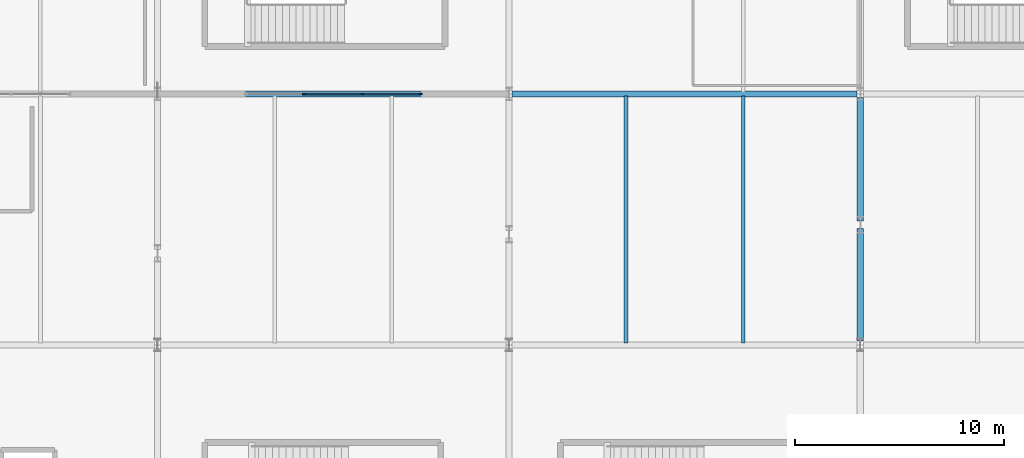
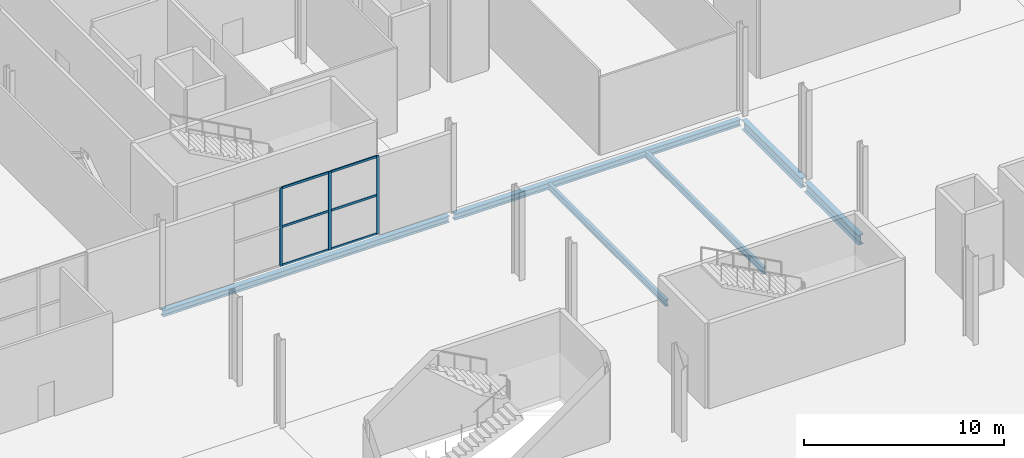
# One storey, part 32 of 87: 9 members, 6 beams, 1 element without a shape of its own.
"""IFC4 building model written with IfcOpenShell, lengths in metres."""

from ifc_helpers import new_model, si_unit, direction, frame, origin, origin_2d, place, context, subcontext, project, spatial, rectangle, i_section, extrude, material, material_profile, profile_set, type_object, element, aggregate, save


model = new_model("IFC4")

# Units and contexts
model_context = context("Model", 3, precision=1e-05, world=origin(), true_north=direction((0.0, 1.0)))
body_context = subcontext(model_context, "Body", "Model", "MODEL_VIEW")
ifc_project = project(units=[si_unit("LENGTHUNIT", "METRE"), si_unit("AREAUNIT", "SQUARE_METRE"), si_unit("VOLUMEUNIT", "CUBIC_METRE"), si_unit("PLANEANGLEUNIT", "RADIAN"), si_unit("MASSUNIT", "GRAM", prefix="KILO")], contexts=[model_context])

# Site, building, storey
site_placement = place(None, origin())
site = spatial("IfcSite", under=ifc_project, at=site_placement, CompositionType="ELEMENT")
building_placement = place(site_placement, origin())
building = spatial("IfcBuilding", under=site, at=building_placement, Name="Kimbaza Rail Terminus", CompositionType="ELEMENT")
storey_placement = place(building_placement, origin())
storey = spatial("IfcBuildingStorey", under=building, at=storey_placement, Name="L00", CompositionType="ELEMENT", Elevation=0.0)

# Curtain wall, members
ifc_material_1 = material(Name="Anodised aluminium framing and solar low-E glazing", Category="aluminium")
curtain_wall_type = type_object("IfcCurtainWallType", Name="ARC-CW-OP1", PredefinedType="USERDEFINED", material=ifc_material_1)
curtain_wall_placement = place(storey_placement, origin())
curtain_wall = element("IfcCurtainWall", 1, at=curtain_wall_placement, inside=storey, type_object=curtain_wall_type, Name="Operations South Curtain Wall L00 Bay 2", ObjectType="UNITISED CURTAIN WALL", PredefinedType="USERDEFINED")
ifc_material_2 = material(Name="Anodised architectural aluminium", Category="aluminium")
ifc_material_profile_1 = material_profile(ifc_material_2, rectangle(XDim=0.06201171875, YDim=0.1650390625, at=origin_2d()), Name="MULLION 62x165")
ifc_profile_set_1 = profile_set([ifc_material_profile_1], Name="Anodised architectural aluminium")
member_type_1 = type_object("IfcMemberType", Name="ARC-CWM-05", PredefinedType="MULLION", material=ifc_profile_set_1)
member_1_placement = place(storey_placement, frame((79.0, 103.0, 0.0), z_axis=(0.0, 0.0, 1.0), x_axis=(0.0, 1.0, 0.0)))
member_1 = element("IfcMember", 2, at=member_1_placement, type_object=member_type_1, Name="CW-05 mullion 2", PredefinedType="MULLION", context=body_context, shape_type="SweptSolid", body=[
    extrude(rectangle(XDim=0.06201171875, YDim=0.1650390625, at=origin_2d()), origin(), (0.0, 0.0, 1.0), 4.764892578125),
])
member_2_placement = place(storey_placement, frame((81.800048828125, 103.0, 0.0), z_axis=(0.0, 0.0, 1.0), x_axis=(0.0, 1.0, 0.0)))
member_2 = element("IfcMember", 3, at=member_2_placement, type_object=member_type_1, Name="CW-05 mullion 3", PredefinedType="MULLION", context=body_context, shape_type="SweptSolid", body=[
    extrude(rectangle(XDim=0.06201171875, YDim=0.1650390625, at=origin_2d()), origin(), (0.0, 0.0, 1.0), 4.764892578125),
])
member_3_placement = place(storey_placement, frame((84.569091796875, 103.0, 0.0), z_axis=(0.0, 0.0, 1.0), x_axis=(0.0, 1.0, 0.0)))
member_3 = element("IfcMember", 4, at=member_3_placement, type_object=member_type_1, Name="CW-05 mullion 4", PredefinedType="MULLION", context=body_context, shape_type="SweptSolid", body=[
    extrude(rectangle(XDim=0.06201171875, YDim=0.1650390625, at=origin_2d()), origin(), (0.0, 0.0, 1.0), 4.764892578125),
])
ifc_material_3 = material(Name="Anodised architectural aluminium", Category="aluminium")
ifc_material_profile_2 = material_profile(ifc_material_3, rectangle(XDim=0.06201171875, YDim=0.135009765625, at=origin_2d()), Name="TRANSOM 62x135")
ifc_profile_set_2 = profile_set([ifc_material_profile_2], Name="Anodised architectural aluminium")
member_type_2 = type_object("IfcMemberType", Name="ARC-CWT-05", PredefinedType="USERDEFINED", material=ifc_profile_set_2)
member_4_placement = place(storey_placement, frame((79.031005859375, 103.0, 0.031005859375), z_axis=(1.0, 0.0, 0.0), x_axis=(0.0, 1.0, 0.0)))
member_4 = element("IfcMember", 5, at=member_4_placement, type_object=member_type_2, Name="CW-05 transom 2.1", ObjectType="TRANSOM", PredefinedType="USERDEFINED", context=body_context, shape_type="SweptSolid", body=[
    extrude(rectangle(XDim=0.06201171875, YDim=0.135009765625, at=origin_2d()), origin(), (0.0, 0.0, 1.0), 2.738037109375),
])
member_5_placement = place(storey_placement, frame((79.031005859375, 103.0, 2.382568359375), z_axis=(1.0, 0.0, 0.0), x_axis=(0.0, 1.0, 0.0)))
member_5 = element("IfcMember", 6, at=member_5_placement, type_object=member_type_2, Name="CW-05 transom 2.2", ObjectType="TRANSOM", PredefinedType="USERDEFINED", context=body_context, shape_type="SweptSolid", body=[
    extrude(rectangle(XDim=0.06201171875, YDim=0.135009765625, at=origin_2d()), origin(), (0.0, 0.0, 1.0), 2.738037109375),
])
member_6_placement = place(storey_placement, frame((79.031005859375, 103.0, 4.73388671875), z_axis=(1.0, 0.0, 0.0), x_axis=(0.0, 1.0, 0.0)))
member_6 = element("IfcMember", 7, at=member_6_placement, type_object=member_type_2, Name="CW-05 transom 2.3", ObjectType="TRANSOM", PredefinedType="USERDEFINED", context=body_context, shape_type="SweptSolid", body=[
    extrude(rectangle(XDim=0.06201171875, YDim=0.135009765625, at=origin_2d()), origin(), (0.0, 0.0, 1.0), 2.738037109375),
])
member_7_placement = place(storey_placement, frame((81.8310546875, 103.0, 0.031005859375), z_axis=(1.0, 0.0, 0.0), x_axis=(0.0, 1.0, 0.0)))
member_7 = element("IfcMember", 8, at=member_7_placement, type_object=member_type_2, Name="CW-05 transom 3.1", ObjectType="TRANSOM", PredefinedType="USERDEFINED", context=body_context, shape_type="SweptSolid", body=[
    extrude(rectangle(XDim=0.06201171875, YDim=0.135009765625, at=origin_2d()), origin(), (0.0, 0.0, 1.0), 2.70703125),
])
member_8_placement = place(storey_placement, frame((81.8310546875, 103.0, 2.382568359375), z_axis=(1.0, 0.0, 0.0), x_axis=(0.0, 1.0, 0.0)))
member_8 = element("IfcMember", 9, at=member_8_placement, type_object=member_type_2, Name="CW-05 transom 3.2", ObjectType="TRANSOM", PredefinedType="USERDEFINED", context=body_context, shape_type="SweptSolid", body=[
    extrude(rectangle(XDim=0.06201171875, YDim=0.135009765625, at=origin_2d()), origin(), (0.0, 0.0, 1.0), 2.70703125),
])
member_9_placement = place(storey_placement, frame((81.8310546875, 103.0, 4.73388671875), z_axis=(1.0, 0.0, 0.0), x_axis=(0.0, 1.0, 0.0)))
member_9 = element("IfcMember", 10, at=member_9_placement, type_object=member_type_2, Name="CW-05 transom 3.3", ObjectType="TRANSOM", PredefinedType="USERDEFINED", context=body_context, shape_type="SweptSolid", body=[
    extrude(rectangle(XDim=0.06201171875, YDim=0.135009765625, at=origin_2d()), origin(), (0.0, 0.0, 1.0), 2.70703125),
])
aggregate(curtain_wall, [member_1, member_2, member_3, member_4, member_5, member_6, member_7, member_8, member_9])

# Beams
ifc_material_4 = material(Name="Steel S355", Category="steel")
ifc_material_profile_3 = material_profile(ifc_material_4, i_section(OverallWidth=0.300048828125, OverallDepth=0.389892578125, WebThickness=0.010986328125, FlangeThickness=0.01904296875, FilletRadius=0.027099609375, at=origin_2d()), Name="HEA 400")
ifc_profile_set_3 = profile_set([ifc_material_profile_3], Name="Steel S355")
beam_type_1 = type_object("IfcBeamType", Name="STR-BM-HEA400", PredefinedType="SPANDREL", material=ifc_profile_set_3)
for number, where, z_axis, x_axis, name in (
    (11, (72.14599609375, 103.0, -0.445068359375), (1.0, 0.0, 0.0), (0.0, 1.0, 0.0), "Operations Girder L00 X1-Y0"),
    (12, (88.946044921875, 103.0, -0.445068359375), (1.0, 0.0, 0.0), (0.0, 1.0, 0.0), "Operations Girder L00 X2-Y0"),
):
    element("IfcBeam", number, at=place(storey_placement, frame(where, z_axis=z_axis, x_axis=x_axis)), inside=storey, type_object=beam_type_1, Name=name, PredefinedType="SPANDREL", context=body_context, shape_type="SweptSolid", body=[
        extrude(i_section(OverallWidth=0.300048828125, OverallDepth=0.389892578125, WebThickness=0.010986328125, FlangeThickness=0.01904296875, FilletRadius=0.027099609375, at=origin_2d()), origin(), (0.0, 0.0, 1.0), 16.508056640625),
    ])
ifc_material_5 = material(Name="Steel S355", Category="steel")
ifc_material_profile_4 = material_profile(ifc_material_5, i_section(OverallWidth=0.300048828125, OverallDepth=0.60009765625, WebThickness=0.015380859375, FlangeThickness=0.030029296875, FilletRadius=0.027099609375, at=origin_2d()), Name="HEB 600")
ifc_profile_set_4 = profile_set([ifc_material_profile_4], Name="Steel S355")
beam_type_2 = type_object("IfcBeamType", Name="STR-BM-HEB600", PredefinedType="BEAM", material=ifc_profile_set_4)
beam_1_placement = place(storey_placement, frame((105.60009765625, 91.175048828125, -0.550048828125), z_axis=(0.0, 1.0, 0.0), x_axis=(-1.0, 0.0, 0.0)))
element("IfcBeam", 13, at=beam_1_placement, inside=storey, type_object=beam_type_2, Name="Beam BM-VSPN-L00-5", PredefinedType="BEAM", context=body_context, shape_type="SweptSolid", body=[
    extrude(i_section(OverallWidth=0.300048828125, OverallDepth=0.60009765625, WebThickness=0.015380859375, FlangeThickness=0.030029296875, FilletRadius=0.027099609375, at=origin_2d()), origin(), (0.0, 0.0, 1.0), 5.39306640625),
])
beam_2_placement = place(storey_placement, frame((105.60009765625, 96.918212890625, -0.550048828125), z_axis=(0.0, 1.0, 0.0), x_axis=(-1.0, 0.0, 0.0)))
element("IfcBeam", 14, at=beam_2_placement, inside=storey, type_object=beam_type_2, Name="Beam BM-VSPN2-L00-5", PredefinedType="BEAM", context=body_context, shape_type="SweptSolid", body=[
    extrude(i_section(OverallWidth=0.300048828125, OverallDepth=0.60009765625, WebThickness=0.015380859375, FlangeThickness=0.030029296875, FilletRadius=0.027099609375, at=origin_2d()), origin(), (0.0, 0.0, 1.0), 5.90673828125),
])
ifc_material_6 = material(Name="Steel S355", Category="steel")
ifc_material_profile_5 = material_profile(ifc_material_6, i_section(OverallWidth=0.179931640625, OverallDepth=0.39990234375, WebThickness=0.008544921875, FlangeThickness=0.013427734375, FilletRadius=0.02099609375, at=origin_2d()), Name="IPE 400")
ifc_profile_set_5 = profile_set([ifc_material_profile_5], Name="Steel S355")
beam_type_3 = type_object("IfcBeamType", Name="STR-BM-IPE400", PredefinedType="JOIST", material=ifc_profile_set_5)
for number, where, z_axis, x_axis, name in (
    (15, (94.39990234375, 91.10009765625, -0.449951171875), (0.0, 1.0, 0.0), (-1.0, 0.0, 0.0), "Beam JST-V2-L00-3-1-91"),
    (16, (100.0, 91.10009765625, -0.449951171875), (0.0, 1.0, 0.0), (-1.0, 0.0, 0.0), "Beam JST-V2-L00-3-2-91"),
):
    element("IfcBeam", number, at=place(storey_placement, frame(where, z_axis=z_axis, x_axis=x_axis)), inside=storey, type_object=beam_type_3, Name=name, PredefinedType="JOIST", context=body_context, shape_type="SweptSolid", body=[
        extrude(i_section(OverallWidth=0.179931640625, OverallDepth=0.39990234375, WebThickness=0.008544921875, FlangeThickness=0.013427734375, FilletRadius=0.02099609375, at=origin_2d()), origin(), (0.0, 0.0, 1.0), 11.7998046875),
    ])

save(model, "model.ifc")
